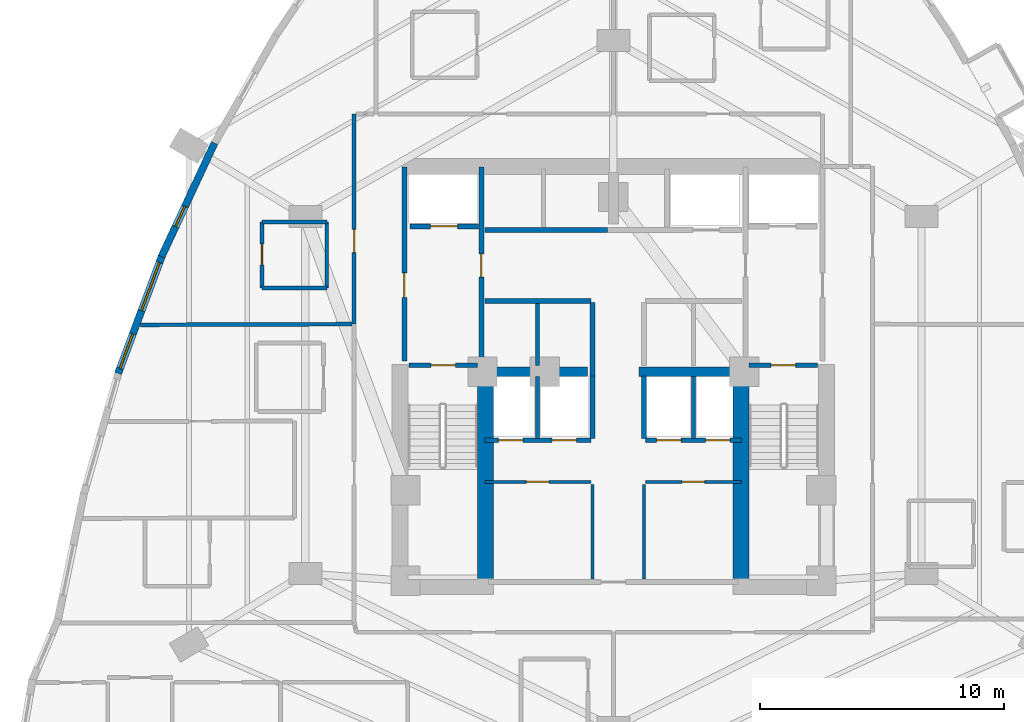
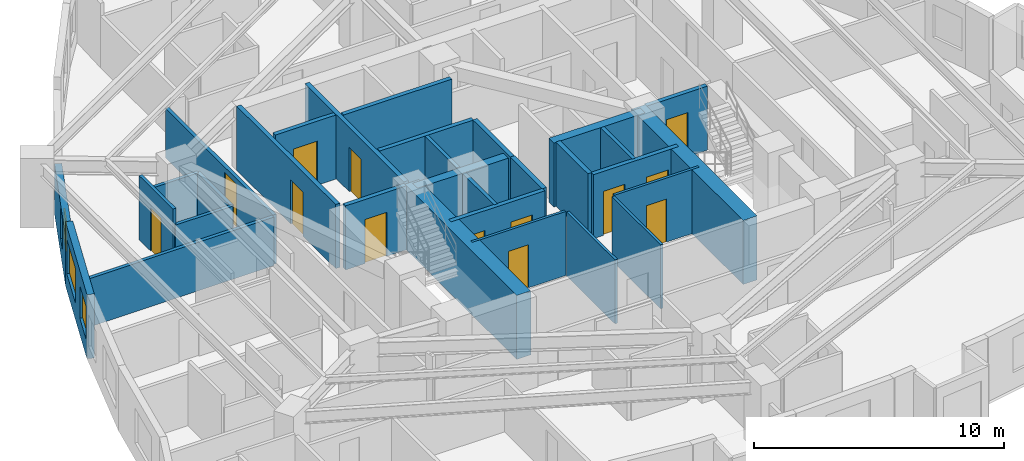
# One storey, part 10 of 15: 31 walls, 13 doors, 3 windows, 16 openings.
"""IFC4 building model written with IfcOpenShell, lengths in metres."""

from ifc_helpers import new_model, si_unit, direction, frame, frame_2d, origin, place, context, subcontext, project, spatial, rectangle, extrude, material, layer, layer_set, type_object, element, fill, save


model = new_model("IFC4")

# Units and contexts
model_context = context("Model", 3, precision=1e-05, world=origin(), true_north=direction((0.0, 1.0)))
body_context = subcontext(model_context, "Body", "Model", "MODEL_VIEW")
ifc_project = project(units=[si_unit("LENGTHUNIT", "METRE"), si_unit("AREAUNIT", "SQUARE_METRE"), si_unit("VOLUMEUNIT", "CUBIC_METRE"), si_unit("PLANEANGLEUNIT", "RADIAN"), si_unit("MASSUNIT", "GRAM", prefix="KILO")], contexts=[model_context])

# Site, building, storey
site_placement = place(None, origin())
site = spatial("IfcSite", under=ifc_project, at=site_placement, CompositionType="ELEMENT")
building_placement = place(site_placement, origin())
building = spatial("IfcBuilding", under=site, at=building_placement, Name="Miruveldt Soraemaru", CompositionType="ELEMENT")
storey_placement = place(building_placement, frame((0.0, 0.0, 83.60009765625)))
storey = spatial("IfcBuildingStorey", under=building, at=storey_placement, Name="L23", CompositionType="ELEMENT", Elevation=83.60009765625)

# Walls
ifc_material_1 = material(Name="Concrete C70/85 (70 MPa)", Category="concrete")
ifc_layer_1 = layer(ifc_material_1, 0.5, Name="Concrete C70/85 (70 MPa)", Category="concrete")
ifc_layer_set_1 = layer_set([ifc_layer_1], Name="Concrete C70/85 (70 MPa)")
wall_type_1 = type_object("IfcWallType", Name="WALL-BW-500", PredefinedType="SHEAR", material=ifc_layer_set_1)
for number, where, z_axis, x_axis, name in (
    (1, (38.75, 44.050048828125, 0.0), (0.0, 0.0, 1.0), (1.0, 0.0, 0.0), "L23 Core Buttress Shear Wall BW"),
    (2, (45.050048828125, 44.050048828125, 0.0), (0.0, 0.0, 1.0), (1.0, 0.0, 0.0), "L23 Core Buttress Shear Wall BE"),
):
    element("IfcWall", number, at=place(storey_placement, frame(where, z_axis=z_axis, x_axis=x_axis)), inside=storey, type_object=wall_type_1, Name=name, PredefinedType="SHEAR", context=body_context, shape_type="SweptSolid", body=[
        extrude(rectangle(XDim=4.199951171875, YDim=0.39990234375, at=frame_2d((2.10009765625, 0.0))), origin(), (0.0, 0.0, 1.0), 3.125),
    ])
ifc_material_2 = material(Name="Concrete C80/95 (80 MPa)", Category="concrete")
ifc_layer_2 = layer(ifc_material_2, 0.64990234375, Name="Concrete C80/95 (80 MPa)", Category="concrete")
ifc_layer_set_2 = layer_set([ifc_layer_2], Name="Concrete C80/95 (80 MPa)")
wall_type_2 = type_object("IfcWallType", Name="WALL-CW-650", PredefinedType="SHEAR", material=ifc_layer_set_2)
for number, where, z_axis, x_axis, name in (
    (3, (38.77490234375, 35.39990234375, 0.0), (0.0, 0.0, 1.0), (0.0, 1.0, 0.0), "L23 Central Core Shear Wall SW-INT"),
    (4, (49.22509765625, 35.39990234375, 0.0), (0.0, 0.0, 1.0), (0.0, 1.0, 0.0), "L23 Central Core Shear Wall SE-INT"),
):
    element("IfcWall", number, at=place(storey_placement, frame(where, z_axis=z_axis, x_axis=x_axis)), inside=storey, type_object=wall_type_2, Name=name, PredefinedType="SHEAR", context=body_context, shape_type="SweptSolid", body=[
        extrude(rectangle(XDim=8.9501953125, YDim=0.64990234375, at=frame_2d((4.47509765625, 0.0))), origin(), (0.0, 0.0, 1.0), 3.125),
    ])

# Wall, opening, window
ifc_material_3 = material(Name="Precast concrete C45/55 (45 MPa)", Category="concrete")
ifc_layer_3 = layer(ifc_material_3, 0.300048828125, Name="Precast concrete C45/55 (45 MPa)", Category="concrete")
ifc_layer_set_3 = layer_set([ifc_layer_3], Name="Precast concrete C45/55 (45 MPa)")
wall_type_3 = type_object("IfcWallType", Name="WALL-EXT-PC300", PredefinedType="SOLIDWALL", material=ifc_layer_set_3)
wall_1_placement = place(storey_placement, frame((27.6865234375, 53.41259765625, 0.0), z_axis=(0.0, 0.0, 1.0), x_axis=(-0.422330811378, -0.906441771853, 0.0)))
wall_1 = element("IfcWall", 5, at=wall_1_placement, inside=storey, type_object=wall_type_3, Name="L23 Precast Concrete Facade Wall 11", PredefinedType="SOLIDWALL", context=body_context, shape_type="SweptSolid", body=[
    extrude(rectangle(XDim=5.13330078125, YDim=0.300048828125, at=frame_2d((2.566650390625, 0.0))), origin(), (0.0, 0.0, 1.0), 2.412841796875),
])
opening_1_placement = place(wall_1_placement, frame((2.873046875, 0.0, 0.7529296875)))
opening_1 = element("IfcOpeningElement", 6, at=opening_1_placement, cuts=wall_1, Name="Opening WN-7", PredefinedType="OPENING", context=body_context, shape_type="SweptSolid", body=[
    extrude(rectangle(XDim=0.89990234375, YDim=1.5, at=frame_2d((0.449951171875, 0.75))), frame((0.0, 0.16015625, 0.0), z_axis=(0.0, -1.0, 0.0), x_axis=(1.0, 0.0, 0.0)), (0.0, 0.0, 1.0), 0.320068359375),
])
ifc_material_4 = material(Name="Triple low-e insulated glazing", Category="glass")
window_type_1 = type_object("IfcWindowType", Name="WIN-PUNCH-900x1500", PartitioningType="SINGLE_PANEL", PredefinedType="WINDOW", material=ifc_material_4)
window_1_placement = place(opening_1_placement, origin())
window_1 = element("IfcWindow", 7, at=window_1_placement, inside=storey, type_object=window_type_1, Name="L23 Punched Triple-Glazed Window 11.1", OverallHeight=1.5, OverallWidth=0.89990234375, PartitioningType="SINGLE_PANEL", PredefinedType="WINDOW", context=body_context, shape_type="SweptSolid", body=[
    extrude(rectangle(XDim=0.89990234375, YDim=1.5, at=frame_2d((0.449951171875, 0.75))), frame((0.0, 0.030029296875, 0.0), z_axis=(0.0, -1.0, 0.0), x_axis=(1.0, 0.0, 0.0)), (0.0, 0.0, 1.0), 0.06005859375),
])
fill(opening_1, window_1)

# Wall, openings, windows
wall_2_placement = place(storey_placement, frame((25.545654296875, 48.82421875, 0.0), z_axis=(0.0, 0.0, 1.0), x_axis=(-0.349030087006, -0.937111518638, 0.0)))
wall_2 = element("IfcWall", 8, at=wall_2_placement, inside=storey, type_object=wall_type_3, Name="L23 Precast Concrete Facade Wall 12", PredefinedType="SOLIDWALL", context=body_context, shape_type="SweptSolid", body=[
    extrude(rectangle(XDim=5.165771484375, YDim=0.300048828125, at=frame_2d((2.5830078125, 0.0))), origin(), (0.0, 0.0, 1.0), 3.125),
])
opening_2_placement = place(wall_2_placement, frame((0.322021484375, 0.0, 0.800048828125)))
opening_2 = element("IfcOpeningElement", 9, at=opening_2_placement, cuts=wall_2, Name="Opening WN-1", PredefinedType="OPENING", context=body_context, shape_type="SweptSolid", body=[
    extrude(rectangle(XDim=2.10009765625, YDim=1.699951171875, at=frame_2d((1.050048828125, 0.85009765625))), frame((0.0, 0.16015625, 0.0), z_axis=(0.0, -1.0, 0.0), x_axis=(1.0, 0.0, 0.0)), (0.0, 0.0, 1.0), 0.320068359375),
])
opening_3_placement = place(wall_2_placement, frame((3.444091796875, 0.0, 0.800048828125)))
opening_3 = element("IfcOpeningElement", 10, at=opening_3_placement, cuts=wall_2, Name="Opening WN-3", PredefinedType="OPENING", context=body_context, shape_type="SweptSolid", body=[
    extrude(rectangle(XDim=1.5, YDim=1.60009765625, at=frame_2d((0.75, 0.800048828125))), frame((0.0, 0.16015625, 0.0), z_axis=(0.0, -1.0, 0.0), x_axis=(1.0, 0.0, 0.0)), (0.0, 0.0, 1.0), 0.320068359375),
])
window_type_2 = type_object("IfcWindowType", Name="WIN-PUNCH-1500x1600", PartitioningType="SINGLE_PANEL", PredefinedType="WINDOW", material=ifc_material_4)
window_2_placement = place(opening_3_placement, origin())
window_2 = element("IfcWindow", 11, at=window_2_placement, inside=storey, type_object=window_type_2, Name="L23 Punched Triple-Glazed Window 12.2", OverallHeight=1.60009765625, OverallWidth=1.5, PartitioningType="SINGLE_PANEL", PredefinedType="WINDOW", context=body_context, shape_type="SweptSolid", body=[
    extrude(rectangle(XDim=1.5, YDim=1.60009765625, at=frame_2d((0.75, 0.800048828125))), frame((0.0, 0.030029296875, 0.0), z_axis=(0.0, -1.0, 0.0), x_axis=(1.0, 0.0, 0.0)), (0.0, 0.0, 1.0), 0.06005859375),
])
fill(opening_3, window_2)
window_type_3 = type_object("IfcWindowType", Name="WIN-PUNCH-2100x1700", PartitioningType="SINGLE_PANEL", PredefinedType="WINDOW", material=ifc_material_4)
window_3_placement = place(opening_2_placement, origin())
window_3 = element("IfcWindow", 12, at=window_3_placement, inside=storey, type_object=window_type_3, Name="L23 Punched Triple-Glazed Window 12.1", OverallHeight=1.699951171875, OverallWidth=2.10009765625, PartitioningType="SINGLE_PANEL", PredefinedType="WINDOW", context=body_context, shape_type="SweptSolid", body=[
    extrude(rectangle(XDim=2.10009765625, YDim=1.699951171875, at=frame_2d((1.050048828125, 0.85009765625))), frame((0.0, 0.030029296875, 0.0), z_axis=(0.0, -1.0, 0.0), x_axis=(1.0, 0.0, 0.0)), (0.0, 0.0, 1.0), 0.06005859375),
])
fill(opening_2, window_3)

# Wall, opening, door
ifc_material_5 = material(Name="Gypsum plasterboard lining", Category="gypsum")
ifc_layer_4 = layer(ifc_material_5, 0.1201171875, Name="Gypsum plasterboard lining", Category="gypsum")
ifc_layer_set_4 = layer_set([ifc_layer_4], Name="Gypsum plasterboard lining")
wall_type_4 = type_object("IfcWallType", Name="WALL-INT-P120", PredefinedType="PARTITIONING", material=ifc_layer_set_4)
wall_3_placement = place(storey_placement, frame((38.75, 39.550048828125, 0.0), z_axis=(0.0, 0.0, 1.0), x_axis=(1.0, 0.0, 0.0)))
wall_3 = element("IfcWall", 13, at=wall_3_placement, inside=storey, type_object=wall_type_4, Name="L23 Core Compartment Wall CSW-N", PredefinedType="PARTITIONING", context=body_context, shape_type="SweptSolid", body=[
    extrude(rectangle(XDim=4.330078125, YDim=0.1201171875, at=frame_2d((2.1650390625, 0.0))), origin(), (0.0, 0.0, 1.0), 3.125),
])
opening_4_placement = place(wall_3_placement, frame((1.68994140625, 0.0, 0.0)))
opening_4 = element("IfcOpeningElement", 14, at=opening_4_placement, cuts=wall_3, Name="Opening D3A", PredefinedType="OPENING", context=body_context, shape_type="SweptSolid", body=[
    extrude(rectangle(XDim=0.919921875, YDim=2.10009765625, at=frame_2d((0.4599609375, 1.050048828125))), frame((0.0, 0.070068359375, 0.0), z_axis=(0.0, -1.0, 0.0), x_axis=(1.0, 0.0, 0.0)), (0.0, 0.0, 1.0), 0.14013671875),
])
ifc_material_6 = material(Name="Anodised aluminium EN AW-6063 T6", Category="aluminium")
door_type_1 = type_object("IfcDoorType", Name="DOOR-INT-920", OperationType="NOTDEFINED", PredefinedType="DOOR", material=ifc_material_6)
door_1_placement = place(opening_4_placement, origin())
door_1 = element("IfcDoor", 15, at=door_1_placement, inside=storey, type_object=door_type_1, Name="L23 Fire Door", OperationType="SINGLE_SWING_LEFT", OverallHeight=2.10009765625, OverallWidth=0.919921875, PredefinedType="DOOR", context=body_context, shape_type="SweptSolid", body=[
    extrude(rectangle(XDim=0.919921875, YDim=2.10009765625, at=frame_2d((0.4599609375, 1.050048828125))), frame((0.0, 0.02490234375, 0.0), z_axis=(0.0, -1.0, 0.0), x_axis=(1.0, 0.0, 0.0)), (0.0, 0.0, 1.0), 0.050048828125),
])
fill(opening_4, door_1)

wall_4_placement = place(storey_placement, frame((45.320068359375, 39.550048828125, 0.0), z_axis=(0.0, 0.0, 1.0), x_axis=(1.0, 0.0, 0.0)))
wall_4 = element("IfcWall", 16, at=wall_4_placement, inside=storey, type_object=wall_type_4, Name="L23 Core Compartment Wall CSE-N", PredefinedType="PARTITIONING", context=body_context, shape_type="SweptSolid", body=[
    extrude(rectangle(XDim=3.929931640625, YDim=0.1201171875, at=frame_2d((1.96484375, 0.0))), origin(), (0.0, 0.0, 1.0), 3.125),
])
opening_5_placement = place(wall_4_placement, frame((1.489990234375, 0.0, 0.0)))
opening_5 = element("IfcOpeningElement", 17, at=opening_5_placement, cuts=wall_4, Name="Opening D3A", PredefinedType="OPENING", context=body_context, shape_type="SweptSolid", body=[
    extrude(rectangle(XDim=0.919921875, YDim=2.10009765625, at=frame_2d((0.4599609375, 1.050048828125))), frame((0.0, 0.070068359375, 0.0), z_axis=(0.0, -1.0, 0.0), x_axis=(1.0, 0.0, 0.0)), (0.0, 0.0, 1.0), 0.14013671875),
])
door_2_placement = place(opening_5_placement, origin())
door_2 = element("IfcDoor", 18, at=door_2_placement, inside=storey, type_object=door_type_1, Name="L23 Fire Door", OperationType="SINGLE_SWING_LEFT", OverallHeight=2.10009765625, OverallWidth=0.919921875, PredefinedType="DOOR", context=body_context, shape_type="SweptSolid", body=[
    extrude(rectangle(XDim=0.919921875, YDim=2.10009765625, at=frame_2d((0.4599609375, 1.050048828125))), frame((0.0, 0.02490234375, 0.0), z_axis=(0.0, -1.0, 0.0), x_axis=(1.0, 0.0, 0.0)), (0.0, 0.0, 1.0), 0.050048828125),
])
fill(opening_5, door_2)

# Walls
for number, where, z_axis, x_axis, name in (
    (19, (43.14990234375, 35.580078125, 0.0), (0.0, 0.0, 1.0), (0.0, 1.0, 0.0), "L23 Core Compartment Wall SP-WS"),
    (20, (45.25, 35.580078125, 0.0), (0.0, 0.0, 1.0), (0.0, 1.0, 0.0), "L23 Core Compartment Wall SP-ES"),
):
    element("IfcWall", number, at=place(storey_placement, frame(where, z_axis=z_axis, x_axis=x_axis)), inside=storey, type_object=wall_type_4, Name=name, PredefinedType="PARTITIONING", context=body_context, shape_type="SweptSolid", body=[
        extrude(rectangle(XDim=3.869873046875, YDim=0.1201171875, at=frame_2d((1.93505859375, 0.0))), origin(), (0.0, 0.0, 1.0), 3.125),
    ])

# Wall, opening, door
ifc_layer_5 = layer(ifc_material_5, 0.14990234375, Name="Gypsum plasterboard lining", Category="gypsum")
ifc_layer_set_5 = layer_set([ifc_layer_5], Name="Gypsum plasterboard lining")
wall_type_5 = type_object("IfcWallType", Name="WALL-INT-PLUMB", PredefinedType="PLUMBINGWALL", material=ifc_layer_set_5)
wall_5_placement = place(storey_placement, frame((29.631103515625, 50.179931640625, 0.0), z_axis=(0.0, 0.0, 1.0), x_axis=(0.0, -1.0, 0.0)))
wall_5 = element("IfcWall", 21, at=wall_5_placement, inside=storey, type_object=wall_type_5, Name="L23 Partition Wall 16", PredefinedType="PLUMBINGWALL", context=body_context, shape_type="SweptSolid", body=[
    extrude(rectangle(XDim=2.699951171875, YDim=0.14990234375, at=frame_2d((1.35009765625, 0.0))), origin(), (0.0, 0.0, 1.0), 3.125),
])
opening_6_placement = place(wall_5_placement, frame((0.909912109375, 0.0, 0.0)))
opening_6 = element("IfcOpeningElement", 22, at=opening_6_placement, cuts=wall_5, Name="Opening FD3", PredefinedType="OPENING", context=body_context, shape_type="SweptSolid", body=[
    extrude(rectangle(XDim=0.85009765625, YDim=2.10009765625, at=frame_2d((0.425048828125, 1.050048828125))), frame((0.0, 0.0849609375, 0.0), z_axis=(0.0, -1.0, 0.0), x_axis=(1.0, 0.0, 0.0)), (0.0, 0.0, 1.0), 0.169921875),
])
door_type_2 = type_object("IfcDoorType", Name="DOOR-FD3-850", OperationType="NOTDEFINED", PredefinedType="DOOR", material=ifc_material_6)
door_3_placement = place(opening_6_placement, origin())
door_3 = element("IfcDoor", 23, at=door_3_placement, inside=storey, type_object=door_type_2, Name="L23 Unit CL01 BTH Door", OperationType="SINGLE_SWING_LEFT", OverallHeight=2.10009765625, OverallWidth=0.85009765625, PredefinedType="DOOR", context=body_context, shape_type="SweptSolid", body=[
    extrude(rectangle(XDim=0.85009765625, YDim=2.10009765625, at=frame_2d((0.425048828125, 1.050048828125))), frame((0.0, 0.02490234375, 0.0), z_axis=(0.0, -1.0, 0.0), x_axis=(1.0, 0.0, 0.0)), (0.0, 0.0, 1.0), 0.050048828125),
])
fill(opening_6, door_3)

# Walls
wall_6_placement = place(storey_placement, frame((32.281005859375, 47.47998046875, 0.0), z_axis=(0.0, 0.0, 1.0), x_axis=(0.0, 1.0, 0.0)))
element("IfcWall", 24, at=wall_6_placement, inside=storey, type_object=wall_type_5, Name="L23 Partition Wall 14", PredefinedType="PLUMBINGWALL", context=body_context, shape_type="SweptSolid", body=[
    extrude(rectangle(XDim=2.699951171875, YDim=0.14990234375, at=frame_2d((1.35009765625, 0.0))), origin(), (0.0, 0.0, 1.0), 2.36279296875),
])
for number, where, z_axis, x_axis, name in (
    (25, (32.281005859375, 50.179931640625, 0.0), (0.0, 0.0, 1.0), (-1.0, 0.0, 0.0), "L23 Partition Wall 15"),
    (26, (29.631103515625, 47.47998046875, 0.0), (0.0, 0.0, 1.0), (1.0, 0.0, 0.0), "L23 Partition Wall 17"),
):
    element("IfcWall", number, at=place(storey_placement, frame(where, z_axis=z_axis, x_axis=x_axis)), inside=storey, type_object=wall_type_5, Name=name, PredefinedType="PLUMBINGWALL", context=body_context, shape_type="SweptSolid", body=[
        extrude(rectangle(XDim=2.64990234375, YDim=0.14990234375, at=frame_2d((1.324951171875, 0.0))), origin(), (0.0, 0.0, 1.0), 2.36279296875),
    ])

# Wall, opening, door
ifc_material_7 = material(Name="Concrete C40/50 (40 MPa)", Category="concrete")
ifc_layer_6 = layer(ifc_material_7, 0.159912109375, Name="Concrete C40/50 (40 MPa)", Category="concrete")
ifc_layer_set_6 = layer_set([ifc_layer_6], Name="Concrete C40/50 (40 MPa)")
wall_type_6 = type_object("IfcWallType", Name="WALL-INT-RC160", PredefinedType="SOLIDWALL", material=ifc_layer_set_6)
wall_7_placement = place(storey_placement, frame((33.39990234375, 54.60009765625, 0.0), z_axis=(0.0, 0.0, 1.0), x_axis=(0.0, -1.0, 0.0)))
wall_7 = element("IfcWall", 27, at=wall_7_placement, inside=storey, type_object=wall_type_6, Name="L23 Partition Wall 2", PredefinedType="SOLIDWALL", context=body_context, shape_type="SweptSolid", body=[
    extrude(rectangle(XDim=8.60009765625, YDim=0.159912109375, at=frame_2d((4.300048828125, 0.0))), origin(), (0.0, 0.0, 1.0), 2.412841796875),
])
opening_7_placement = place(wall_7_placement, frame((4.72509765625, 0.0, 0.0)))
opening_7 = element("IfcOpeningElement", 28, at=opening_7_placement, cuts=wall_7, Name="Opening FD2", PredefinedType="OPENING", context=body_context, shape_type="SweptSolid", body=[
    extrude(rectangle(XDim=0.949951171875, YDim=2.14990234375, at=frame_2d((0.47509765625, 1.074951171875))), frame((0.0, 0.08984375, 0.0), z_axis=(0.0, -1.0, 0.0), x_axis=(1.0, 0.0, 0.0)), (0.0, 0.0, 1.0), 0.179931640625),
])
door_type_3 = type_object("IfcDoorType", Name="DOOR-FD2-950", OperationType="NOTDEFINED", PredefinedType="DOOR", material=ifc_material_6)
door_4_placement = place(opening_7_placement, origin())
door_4 = element("IfcDoor", 29, at=door_4_placement, inside=storey, type_object=door_type_3, Name="L23 Unit CL01 Entrance Fire Door", OperationType="SINGLE_SWING_RIGHT", OverallHeight=2.14990234375, OverallWidth=0.949951171875, PredefinedType="DOOR", context=body_context, shape_type="SweptSolid", body=[
    extrude(rectangle(XDim=0.949951171875, YDim=2.14990234375, at=frame_2d((0.47509765625, 1.074951171875))), frame((0.0, 0.02490234375, 0.0), z_axis=(0.0, -1.0, 0.0), x_axis=(1.0, 0.0, 0.0)), (0.0, 0.0, 1.0), 0.050048828125),
])
fill(opening_7, door_4)

# Walls
wall_8_placement = place(storey_placement, frame((24.658935546875, 45.970947265625, 0.0), z_axis=(0.0, 0.0, 1.0), x_axis=(0.999994369988, 0.00335559118, 0.0)))
element("IfcWall", 30, at=wall_8_placement, inside=storey, type_object=wall_type_6, Name="L23 Partition Wall 20", PredefinedType="SOLIDWALL", context=body_context, shape_type="SweptSolid", body=[
    extrude(rectangle(XDim=8.657958984375, YDim=0.159912109375, at=frame_2d((4.3291015625, 0.0))), origin(), (0.0, 0.0, 1.0), 2.36279296875),
])
wall_9_placement = place(storey_placement, frame((40.89990234375, 44.300048828125, 0.0), z_axis=(0.0, 0.0, 1.0), x_axis=(0.0, 1.0, 0.0)))
element("IfcWall", 31, at=wall_9_placement, inside=storey, type_object=wall_type_6, Name="L23 Core Compartment Wall PLM-DW", PredefinedType="SOLIDWALL", context=body_context, shape_type="SweptSolid", body=[
    extrude(rectangle(XDim=2.550048828125, YDim=0.159912109375, at=frame_2d((1.27490234375, 0.0))), origin(), (0.0, 0.0, 1.0), 3.125),
])
for number, where, z_axis, x_axis, name in (
    (32, (40.89990234375, 41.320068359375, 0.0), (0.0, 0.0, 1.0), (0.0, 1.0, 0.0), "L23 Core Compartment Wall PLL-DW"),
    (33, (47.280029296875, 41.320068359375, 0.0), (0.0, 0.0, 1.0), (0.0, 1.0, 0.0), "L23 Core Compartment Wall PLL-DE"),
):
    element("IfcWall", number, at=place(storey_placement, frame(where, z_axis=z_axis, x_axis=x_axis)), inside=storey, type_object=wall_type_6, Name=name, PredefinedType="SOLIDWALL", context=body_context, shape_type="SweptSolid", body=[
        extrude(rectangle(XDim=2.530029296875, YDim=0.159912109375, at=frame_2d((1.26513671875, 0.0))), origin(), (0.0, 0.0, 1.0), 3.125),
    ])

# Wall, opening, door
ifc_layer_7 = layer(ifc_material_7, 0.199951171875, Name="Concrete C40/50 (40 MPa)", Category="concrete")
ifc_layer_set_7 = layer_set([ifc_layer_7], Name="Concrete C40/50 (40 MPa)")
wall_type_7 = type_object("IfcWallType", Name="WALL-INT-RC200", PredefinedType="SOLIDWALL", material=ifc_layer_set_7)
wall_10_placement = place(storey_placement, frame((35.449951171875, 44.5, 0.0), z_axis=(0.0, 0.0, 1.0), x_axis=(0.0, 1.0, 0.0)))
wall_10 = element("IfcWall", 34, at=wall_10_placement, inside=storey, type_object=wall_type_7, Name="L23 Core Compartment Wall FFW-OUT", PredefinedType="SOLIDWALL", context=body_context, shape_type="SweptSolid", body=[
    extrude(rectangle(XDim=7.919921875, YDim=0.199951171875, at=frame_2d((3.9599609375, 0.0))), origin(), (0.0, 0.0, 1.0), 3.125),
])
opening_8_placement = place(wall_10_placement, frame((2.60009765625, 0.0, 0.0)))
opening_8 = element("IfcOpeningElement", 35, at=opening_8_placement, cuts=wall_10, Name="Opening FD1", PredefinedType="OPENING", context=body_context, shape_type="SweptSolid", body=[
    extrude(rectangle(XDim=1.0, YDim=2.14990234375, at=frame_2d((0.5, 1.074951171875))), frame((0.0, 0.10986328125, 0.0), z_axis=(0.0, -1.0, 0.0), x_axis=(1.0, 0.0, 0.0)), (0.0, 0.0, 1.0), 0.219970703125),
])
door_type_4 = type_object("IfcDoorType", Name="DOOR-FD1-1000", OperationType="NOTDEFINED", PredefinedType="DOOR", material=ifc_material_6)
door_5_placement = place(opening_8_placement, origin())
door_5 = element("IfcDoor", 36, at=door_5_placement, inside=storey, type_object=door_type_4, Name="L23 West Firefighting Lobby Exit Door", OperationType="SINGLE_SWING_LEFT", OverallHeight=2.14990234375, OverallWidth=1.0, PredefinedType="DOOR", context=body_context, shape_type="SweptSolid", body=[
    extrude(rectangle(XDim=1.0, YDim=2.14990234375, at=frame_2d((0.5, 1.074951171875))), frame((0.0, 0.02490234375, 0.0), z_axis=(0.0, -1.0, 0.0), x_axis=(1.0, 0.0, 0.0)), (0.0, 0.0, 1.0), 0.050048828125),
])
fill(opening_8, door_5)

wall_11_placement = place(storey_placement, frame((38.60009765625, 44.5, 0.0), z_axis=(0.0, 0.0, 1.0), x_axis=(0.0, 1.0, 0.0)))
wall_11 = element("IfcWall", 37, at=wall_11_placement, inside=storey, type_object=wall_type_7, Name="L23 Core Compartment Wall FFW-IN", PredefinedType="SOLIDWALL", context=body_context, shape_type="SweptSolid", body=[
    extrude(rectangle(XDim=7.919921875, YDim=0.199951171875, at=frame_2d((3.9599609375, 0.0))), origin(), (0.0, 0.0, 1.0), 3.125),
])
opening_9_placement = place(wall_11_placement, frame((3.425048828125, 0.0, 0.0)))
opening_9 = element("IfcOpeningElement", 38, at=opening_9_placement, cuts=wall_11, Name="Opening FD2", PredefinedType="OPENING", context=body_context, shape_type="SweptSolid", body=[
    extrude(rectangle(XDim=0.949951171875, YDim=2.14990234375, at=frame_2d((0.47509765625, 1.074951171875))), frame((0.0, 0.10986328125, 0.0), z_axis=(0.0, -1.0, 0.0), x_axis=(1.0, 0.0, 0.0)), (0.0, 0.0, 1.0), 0.219970703125),
])
door_6_placement = place(opening_9_placement, frame((0.949951171875, 0.0, 0.0), z_axis=(0.0, 0.0, 1.0), x_axis=(-1.0, 0.0, 0.0)))
door_6 = element("IfcDoor", 39, at=door_6_placement, inside=storey, type_object=door_type_3, Name="L23 Lift Lobby to West Fire Lobby Door", OperationType="SINGLE_SWING_RIGHT", OverallHeight=2.14990234375, OverallWidth=0.949951171875, PredefinedType="DOOR", context=body_context, shape_type="SweptSolid", body=[
    extrude(rectangle(XDim=0.949951171875, YDim=2.14990234375, at=frame_2d((0.47509765625, 1.074951171875))), frame((0.0, 0.02490234375, 0.0), z_axis=(0.0, -1.0, 0.0), x_axis=(1.0, 0.0, 0.0)), (0.0, 0.0, 1.0), 0.050048828125),
])
fill(opening_9, door_6)

# Wall, openings, doors
wall_12_placement = place(storey_placement, frame((38.75, 41.25, 0.0), z_axis=(0.0, 0.0, 1.0), x_axis=(1.0, 0.0, 0.0)))
wall_12 = element("IfcWall", 40, at=wall_12_placement, inside=storey, type_object=wall_type_7, Name="L23 Core Compartment Wall LBW-S", PredefinedType="SOLIDWALL", context=body_context, shape_type="SweptSolid", body=[
    extrude(rectangle(XDim=4.330078125, YDim=0.199951171875, at=frame_2d((2.1650390625, 0.0))), origin(), (0.0, 0.0, 1.0), 3.125),
])
opening_10_placement = place(wall_12_placement, frame((0.550048828125, 0.0, 0.0)))
opening_10 = element("IfcOpeningElement", 41, at=opening_10_placement, cuts=wall_12, Name="Opening LD1B", PredefinedType="OPENING", context=body_context, shape_type="SweptSolid", body=[
    extrude(rectangle(XDim=1.0, YDim=2.14990234375, at=frame_2d((0.5, 1.074951171875))), frame((0.0, 0.10986328125, 0.0), z_axis=(0.0, -1.0, 0.0), x_axis=(1.0, 0.0, 0.0)), (0.0, 0.0, 1.0), 0.219970703125),
])
opening_11_placement = place(wall_12_placement, frame((2.75, 0.0, 0.0)))
opening_11 = element("IfcOpeningElement", 42, at=opening_11_placement, cuts=wall_12, Name="Opening LD1B", PredefinedType="OPENING", context=body_context, shape_type="SweptSolid", body=[
    extrude(rectangle(XDim=1.0, YDim=2.14990234375, at=frame_2d((0.5, 1.074951171875))), frame((0.0, 0.10986328125, 0.0), z_axis=(0.0, -1.0, 0.0), x_axis=(1.0, 0.0, 0.0)), (0.0, 0.0, 1.0), 0.219970703125),
])
door_type_5 = type_object("IfcDoorType", Name="DOOR-LD1-1000", OperationType="SLIDING_TO_LEFT", PredefinedType="DOOR", material=ifc_material_6)
door_7_placement = place(opening_10_placement, frame((1.0, 0.0, 0.0), z_axis=(0.0, 0.0, 1.0), x_axis=(-1.0, 0.0, 0.0)))
door_7 = element("IfcDoor", 43, at=door_7_placement, inside=storey, type_object=door_type_5, Name="L23 PL-L1 Landing Door", OperationType="SLIDING_TO_LEFT", OverallHeight=2.14990234375, OverallWidth=1.0, PredefinedType="DOOR", context=body_context, shape_type="SweptSolid", body=[
    extrude(rectangle(XDim=1.0, YDim=2.14990234375, at=frame_2d((0.5, 1.074951171875))), frame((0.0, 0.02490234375, 0.0), z_axis=(0.0, -1.0, 0.0), x_axis=(1.0, 0.0, 0.0)), (0.0, 0.0, 1.0), 0.050048828125),
])
fill(opening_10, door_7)
door_8_placement = place(opening_11_placement, frame((1.0, 0.0, 0.0), z_axis=(0.0, 0.0, 1.0), x_axis=(-1.0, 0.0, 0.0)))
door_8 = element("IfcDoor", 44, at=door_8_placement, inside=storey, type_object=door_type_5, Name="L23 PL-L2 Landing Door", OperationType="SLIDING_TO_LEFT", OverallHeight=2.14990234375, OverallWidth=1.0, PredefinedType="DOOR", context=body_context, shape_type="SweptSolid", body=[
    extrude(rectangle(XDim=1.0, YDim=2.14990234375, at=frame_2d((0.5, 1.074951171875))), frame((0.0, 0.02490234375, 0.0), z_axis=(0.0, -1.0, 0.0), x_axis=(1.0, 0.0, 0.0)), (0.0, 0.0, 1.0), 0.050048828125),
])
fill(opening_11, door_8)

wall_13_placement = place(storey_placement, frame((45.320068359375, 41.25, 0.0), z_axis=(0.0, 0.0, 1.0), x_axis=(1.0, 0.0, 0.0)))
wall_13 = element("IfcWall", 45, at=wall_13_placement, inside=storey, type_object=wall_type_7, Name="L23 Core Compartment Wall LBE-S", PredefinedType="SOLIDWALL", context=body_context, shape_type="SweptSolid", body=[
    extrude(rectangle(XDim=3.929931640625, YDim=0.199951171875, at=frame_2d((1.96484375, 0.0))), origin(), (0.0, 0.0, 1.0), 3.125),
])
opening_12_placement = place(wall_13_placement, frame((0.449951171875, 0.0, 0.0)))
opening_12 = element("IfcOpeningElement", 46, at=opening_12_placement, cuts=wall_13, Name="Opening LD1B", PredefinedType="OPENING", context=body_context, shape_type="SweptSolid", body=[
    extrude(rectangle(XDim=1.0, YDim=2.14990234375, at=frame_2d((0.5, 1.074951171875))), frame((0.0, 0.10986328125, 0.0), z_axis=(0.0, -1.0, 0.0), x_axis=(1.0, 0.0, 0.0)), (0.0, 0.0, 1.0), 0.219970703125),
])
opening_13_placement = place(wall_13_placement, frame((2.449951171875, 0.0, 0.0)))
opening_13 = element("IfcOpeningElement", 47, at=opening_13_placement, cuts=wall_13, Name="Opening LD1B", PredefinedType="OPENING", context=body_context, shape_type="SweptSolid", body=[
    extrude(rectangle(XDim=1.0, YDim=2.14990234375, at=frame_2d((0.5, 1.074951171875))), frame((0.0, 0.10986328125, 0.0), z_axis=(0.0, -1.0, 0.0), x_axis=(1.0, 0.0, 0.0)), (0.0, 0.0, 1.0), 0.219970703125),
])
door_9_placement = place(opening_12_placement, frame((1.0, 0.0, 0.0), z_axis=(0.0, 0.0, 1.0), x_axis=(-1.0, 0.0, 0.0)))
door_9 = element("IfcDoor", 48, at=door_9_placement, inside=storey, type_object=door_type_5, Name="L23 PL-L3 Landing Door", OperationType="SLIDING_TO_LEFT", OverallHeight=2.14990234375, OverallWidth=1.0, PredefinedType="DOOR", context=body_context, shape_type="SweptSolid", body=[
    extrude(rectangle(XDim=1.0, YDim=2.14990234375, at=frame_2d((0.5, 1.074951171875))), frame((0.0, 0.02490234375, 0.0), z_axis=(0.0, -1.0, 0.0), x_axis=(1.0, 0.0, 0.0)), (0.0, 0.0, 1.0), 0.050048828125),
])
fill(opening_12, door_9)
door_10_placement = place(opening_13_placement, frame((1.0, 0.0, 0.0), z_axis=(0.0, 0.0, 1.0), x_axis=(-1.0, 0.0, 0.0)))
door_10 = element("IfcDoor", 49, at=door_10_placement, inside=storey, type_object=door_type_5, Name="L23 PL-L4 Landing Door", OperationType="SLIDING_TO_LEFT", OverallHeight=2.14990234375, OverallWidth=1.0, PredefinedType="DOOR", context=body_context, shape_type="SweptSolid", body=[
    extrude(rectangle(XDim=1.0, YDim=2.14990234375, at=frame_2d((0.5, 1.074951171875))), frame((0.0, 0.02490234375, 0.0), z_axis=(0.0, -1.0, 0.0), x_axis=(1.0, 0.0, 0.0)), (0.0, 0.0, 1.0), 0.050048828125),
])
fill(opening_13, door_10)

# Wall, opening, door
wall_14_placement = place(storey_placement, frame((35.64990234375, 44.320068359375, 0.0), z_axis=(0.0, 0.0, 1.0), x_axis=(1.0, 0.0, 0.0)))
wall_14 = element("IfcWall", 50, at=wall_14_placement, inside=storey, type_object=wall_type_7, Name="L23 Core Compartment Wall ST1-N", PredefinedType="SOLIDWALL", context=body_context, shape_type="SweptSolid", body=[
    extrude(rectangle(XDim=2.800048828125, YDim=0.199951171875, at=frame_2d((1.39990234375, 0.0))), origin(), (0.0, 0.0, 1.0), 3.125),
])
opening_14_placement = place(wall_14_placement, frame((0.89990234375, 0.0, 0.0)))
opening_14 = element("IfcOpeningElement", 51, at=opening_14_placement, cuts=wall_14, Name="Opening FD1", PredefinedType="OPENING", context=body_context, shape_type="SweptSolid", body=[
    extrude(rectangle(XDim=1.0, YDim=2.14990234375, at=frame_2d((0.5, 1.074951171875))), frame((0.0, 0.10986328125, 0.0), z_axis=(0.0, -1.0, 0.0), x_axis=(1.0, 0.0, 0.0)), (0.0, 0.0, 1.0), 0.219970703125),
])
door_11_placement = place(opening_14_placement, frame((1.0, 0.0, 0.0), z_axis=(0.0, 0.0, 1.0), x_axis=(-1.0, 0.0, 0.0)))
door_11 = element("IfcDoor", 52, at=door_11_placement, inside=storey, type_object=door_type_4, Name="L23 Stair ST-1 Fire Door", OperationType="SINGLE_SWING_LEFT", OverallHeight=2.14990234375, OverallWidth=1.0, PredefinedType="DOOR", context=body_context, shape_type="SweptSolid", body=[
    extrude(rectangle(XDim=1.0, YDim=2.14990234375, at=frame_2d((0.5, 1.074951171875))), frame((0.0, 0.02490234375, 0.0), z_axis=(0.0, -1.0, 0.0), x_axis=(1.0, 0.0, 0.0)), (0.0, 0.0, 1.0), 0.050048828125),
])
fill(opening_14, door_11)

wall_15_placement = place(storey_placement, frame((49.550048828125, 44.320068359375, 0.0), z_axis=(0.0, 0.0, 1.0), x_axis=(1.0, 0.0, 0.0)))
wall_15 = element("IfcWall", 53, at=wall_15_placement, inside=storey, type_object=wall_type_7, Name="L23 Core Compartment Wall ST2-N", PredefinedType="SOLIDWALL", context=body_context, shape_type="SweptSolid", body=[
    extrude(rectangle(XDim=2.800048828125, YDim=0.199951171875, at=frame_2d((1.39990234375, 0.0))), origin(), (0.0, 0.0, 1.0), 3.125),
])
opening_15_placement = place(wall_15_placement, frame((0.89990234375, 0.0, 0.0)))
opening_15 = element("IfcOpeningElement", 54, at=opening_15_placement, cuts=wall_15, Name="Opening FD1", PredefinedType="OPENING", context=body_context, shape_type="SweptSolid", body=[
    extrude(rectangle(XDim=1.0, YDim=2.14990234375, at=frame_2d((0.5, 1.074951171875))), frame((0.0, 0.10986328125, 0.0), z_axis=(0.0, -1.0, 0.0), x_axis=(1.0, 0.0, 0.0)), (0.0, 0.0, 1.0), 0.219970703125),
])
door_12_placement = place(opening_15_placement, frame((1.0, 0.0, 0.0), z_axis=(0.0, 0.0, 1.0), x_axis=(-1.0, 0.0, 0.0)))
door_12 = element("IfcDoor", 55, at=door_12_placement, inside=storey, type_object=door_type_4, Name="L23 Stair ST-2 Fire Door", OperationType="SINGLE_SWING_RIGHT", OverallHeight=2.14990234375, OverallWidth=1.0, PredefinedType="DOOR", context=body_context, shape_type="SweptSolid", body=[
    extrude(rectangle(XDim=1.0, YDim=2.14990234375, at=frame_2d((0.5, 1.074951171875))), frame((0.0, 0.02490234375, 0.0), z_axis=(0.0, -1.0, 0.0), x_axis=(1.0, 0.0, 0.0)), (0.0, 0.0, 1.0), 0.050048828125),
])
fill(opening_15, door_12)

wall_16_placement = place(storey_placement, frame((35.679931640625, 50.0, 0.0), z_axis=(0.0, 0.0, 1.0), x_axis=(1.0, 0.0, 0.0)))
wall_16 = element("IfcWall", 56, at=wall_16_placement, inside=storey, type_object=wall_type_7, Name="L23 Core Compartment Wall FFL1-S", PredefinedType="SOLIDWALL", context=body_context, shape_type="SweptSolid", body=[
    extrude(rectangle(XDim=2.800048828125, YDim=0.199951171875, at=frame_2d((1.39990234375, 0.0))), origin(), (0.0, 0.0, 1.0), 3.125),
])
opening_16_placement = place(wall_16_placement, frame((0.85009765625, 0.0, 0.0)))
opening_16 = element("IfcOpeningElement", 57, at=opening_16_placement, cuts=wall_16, Name="Opening LD2", PredefinedType="OPENING", context=body_context, shape_type="SweptSolid", body=[
    extrude(rectangle(XDim=1.10009765625, YDim=2.14990234375, at=frame_2d((0.550048828125, 1.074951171875))), frame((0.0, 0.10986328125, 0.0), z_axis=(0.0, -1.0, 0.0), x_axis=(1.0, 0.0, 0.0)), (0.0, 0.0, 1.0), 0.219970703125),
])
door_type_6 = type_object("IfcDoorType", Name="DOOR-LD2-1100", OperationType="SLIDING_TO_LEFT", PredefinedType="DOOR", material=ifc_material_6)
door_13_placement = place(opening_16_placement, origin())
door_13 = element("IfcDoor", 58, at=door_13_placement, inside=storey, type_object=door_type_6, Name="L23 FFL-1 Landing Door", OperationType="SLIDING_TO_LEFT", OverallHeight=2.14990234375, OverallWidth=1.10009765625, PredefinedType="DOOR", context=body_context, shape_type="SweptSolid", body=[
    extrude(rectangle(XDim=1.10009765625, YDim=2.14990234375, at=frame_2d((0.550048828125, 1.074951171875))), frame((0.0, 0.02490234375, 0.0), z_axis=(0.0, -1.0, 0.0), x_axis=(1.0, 0.0, 0.0)), (0.0, 0.0, 1.0), 0.050048828125),
])
fill(opening_16, door_13)

# Walls
wall_17_placement = place(storey_placement, frame((38.75, 49.85009765625, 0.0), z_axis=(0.0, 0.0, 1.0), x_axis=(1.0, 0.0, 0.0)))
element("IfcWall", 59, at=wall_17_placement, inside=storey, type_object=wall_type_7, Name="L23 Core Compartment Wall ROWA-SW", PredefinedType="SOLIDWALL", context=body_context, shape_type="SweptSolid", body=[
    extrude(rectangle(XDim=5.0, YDim=0.199951171875, at=frame_2d((2.5, 0.0))), origin(), (0.0, 0.0, 1.0), 3.125),
])
wall_18_placement = place(storey_placement, frame((38.75, 46.949951171875, 0.0), z_axis=(0.0, 0.0, 1.0), x_axis=(1.0, 0.0, 0.0)))
element("IfcWall", 60, at=wall_18_placement, inside=storey, type_object=wall_type_7, Name="L23 Core Compartment Wall MBW-N", PredefinedType="SOLIDWALL", context=body_context, shape_type="SweptSolid", body=[
    extrude(rectangle(XDim=4.330078125, YDim=0.199951171875, at=frame_2d((2.1650390625, 0.0))), origin(), (0.0, 0.0, 1.0), 3.125),
])
wall_19_placement = place(storey_placement, frame((43.14990234375, 43.8798828125, 0.0), z_axis=(0.0, 0.0, 1.0), x_axis=(0.0, 1.0, 0.0)))
element("IfcWall", 61, at=wall_19_placement, inside=storey, type_object=wall_type_7, Name="L23 Core Compartment Wall SP-WB", PredefinedType="SOLIDWALL", context=body_context, shape_type="SweptSolid", body=[
    extrude(rectangle(XDim=3.0, YDim=0.199951171875, at=frame_2d((1.5, 0.0))), origin(), (0.0, 0.0, 1.0), 3.125),
])
for number, where, z_axis, x_axis, name in (
    (62, (43.14990234375, 41.320068359375, 0.0), (0.0, 0.0, 1.0), (0.0, 1.0, 0.0), "L23 Core Compartment Wall SP-WC"),
    (63, (45.25, 41.320068359375, 0.0), (0.0, 0.0, 1.0), (0.0, 1.0, 0.0), "L23 Core Compartment Wall SP-EC"),
):
    element("IfcWall", number, at=place(storey_placement, frame(where, z_axis=z_axis, x_axis=x_axis)), inside=storey, type_object=wall_type_7, Name=name, PredefinedType="SOLIDWALL", context=body_context, shape_type="SweptSolid", body=[
        extrude(rectangle(XDim=2.559814453125, YDim=0.199951171875, at=frame_2d((1.27978515625, 0.0))), origin(), (0.0, 0.0, 1.0), 3.125),
    ])

save(model, "model.ifc")
